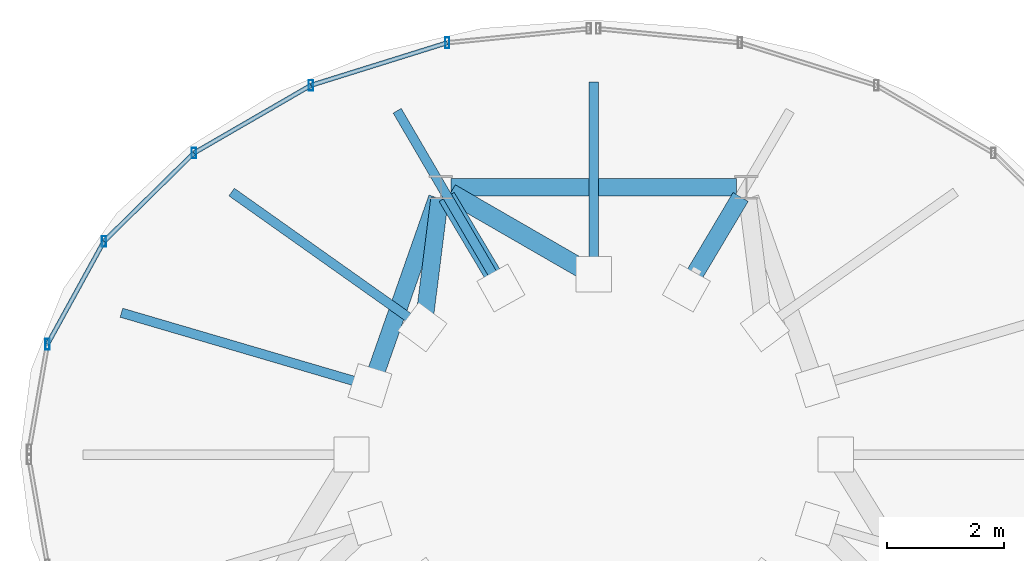
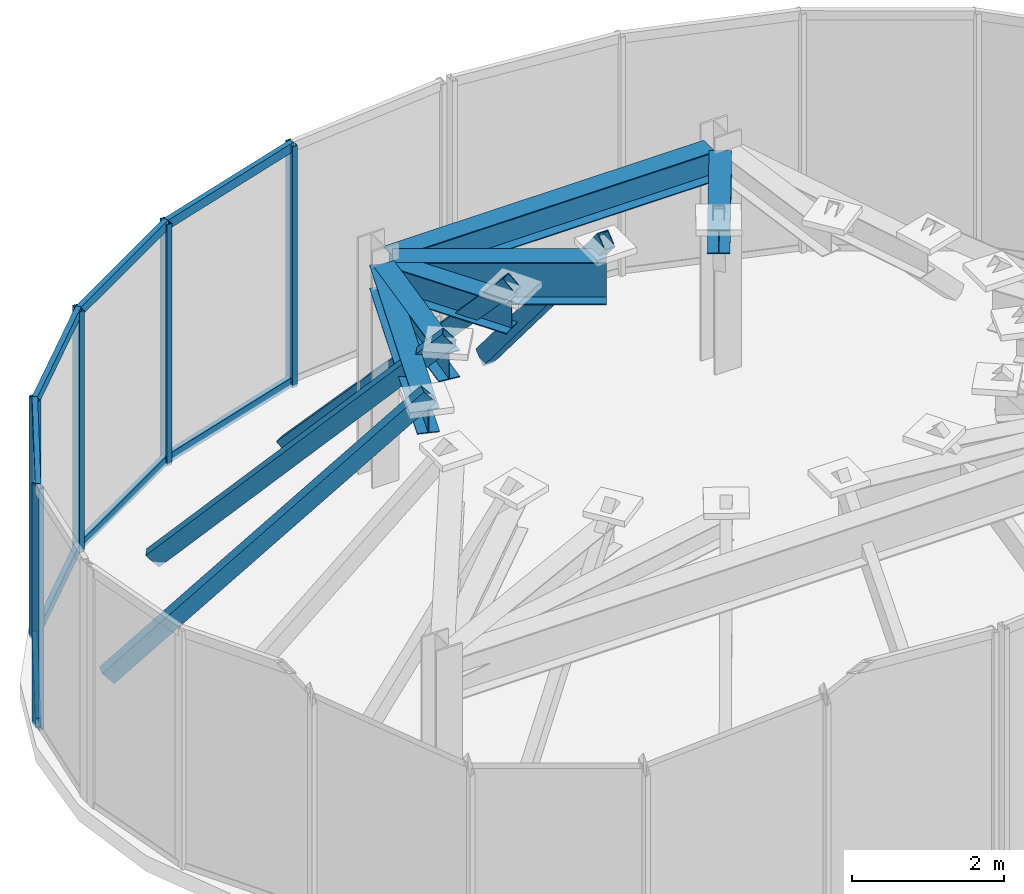
# One storey, part 5 of 8: 17 members, 6 beams, 1 element without a shape of its own.
"""IFC4 building model written with IfcOpenShell, lengths in metres."""

import ifcopenshell
import ifcopenshell.guid

model = None  # the IFC model being written
_history = None  # IfcOwnerHistory: only IFC2X3 demands one
_inside = {}  # id of a spatial element -> (the spatial element, [elements in it])
_under = {}  # id of a project, library or spatial element -> (it, [spatial elements below it])
_declared = {}  # id of a project -> (the project, [libraries it declares])
_typed = {}  # id of a type object -> (the type object, [elements of that type])
_made_of = {}  # id of a material, layer set ... -> (it, [elements and type objects made of it])


def new_model(schema):
    """Start an empty IFC model of exactly this schema.

    Asked for "IFC4X3", IfcOpenShell would pick the latest addendum, in which some entities
    have other attributes; the version numbers below select the first issue.
    IFC2X3 requires an IfcOwnerHistory on every rooted entity: one is made here for all.
    """
    global model, _history
    if schema == "IFC4X3":
        model = ifcopenshell.file(schema_version=(4, 3, 0, 0))
    else:
        model = ifcopenshell.file(schema=schema)
    _inside.clear()
    _under.clear()
    _declared.clear()
    _typed.clear()
    _made_of.clear()
    _history = None
    if model.schema == "IFC2X3":
        org = make("IfcOrganization", Name="unknown")
        user = make(
            "IfcPersonAndOrganization",
            ThePerson=make("IfcPerson", FamilyName="unknown"),
            TheOrganization=org,
        )
        app = make(
            "IfcApplication",
            ApplicationDeveloper=org,
            Version="unknown",
            ApplicationFullName="unknown",
            ApplicationIdentifier="unknown",
        )
        _history = make(
            "IfcOwnerHistory",
            OwningUser=user,
            OwningApplication=app,
            ChangeAction="ADDED",
            CreationDate=0,
        )
    return model


def make(cls, **values):
    """One entity of the class cls with the attributes given. An attribute that is None is left unset."""
    return model.create_entity(
        cls, **{name: value for name, value in values.items() if value is not None}
    )


def rooted(cls, **values):
    """An entity with a GlobalId (a new one), such as an element, a storey or a relation."""
    return make(cls, GlobalId=ifcopenshell.guid.new(), OwnerHistory=_history, **values)


def si_unit(unit_type, name, prefix=None):
    """IfcSIUnit, for example si_unit("LENGTHUNIT", "METRE", prefix="MILLI")."""
    return make("IfcSIUnit", UnitType=unit_type, Prefix=prefix, Name=name)


def assignment(units):
    """IfcUnitAssignment: the units of a project."""
    return None if units is None else make("IfcUnitAssignment", Units=units)


def point(xyz):
    """IfcCartesianPoint."""
    return None if xyz is None else make("IfcCartesianPoint", Coordinates=xyz)


def direction(xyz):
    """IfcDirection."""
    return None if xyz is None else make("IfcDirection", DirectionRatios=xyz)


def frame(location, z_axis=None, x_axis=None):
    """IfcAxis2Placement3D, a coordinate frame: its origin and axes. An axis left out is left unset."""
    return make(
        "IfcAxis2Placement3D",
        Location=point(location),
        Axis=direction(z_axis),
        RefDirection=direction(x_axis),
    )


def frame_2d(location, x_axis=None):
    """IfcAxis2Placement2D, a coordinate frame in the plane: its origin and x axis."""
    return make(
        "IfcAxis2Placement2D", Location=point(location), RefDirection=direction(x_axis)
    )


def origin():
    """The frame at (0, 0, 0) with its axes left unset."""
    return frame((0.0, 0.0, 0.0))


def origin_2d():
    """The frame at (0, 0) in the plane with its x axis left unset."""
    return frame_2d((0.0, 0.0))


def place(relative_to, where):
    """IfcLocalPlacement: puts the frame where relative to a parent placement (None: the world)."""
    return make(
        "IfcLocalPlacement", PlacementRelTo=relative_to, RelativePlacement=where
    )


def context(
    kind, dimensions, precision=None, world=None, true_north=None, identifier=None
):
    """IfcGeometricRepresentationContext, for example the 3D "Model" context."""
    return make(
        "IfcGeometricRepresentationContext",
        ContextIdentifier=identifier,
        ContextType=kind,
        CoordinateSpaceDimension=dimensions,
        Precision=precision,
        WorldCoordinateSystem=world,
        TrueNorth=true_north,
    )


def subcontext(parent, identifier, kind, view, scale=None):
    """IfcGeometricRepresentationSubContext, for example "Body" below "Model"."""
    return make(
        "IfcGeometricRepresentationSubContext",
        ContextIdentifier=identifier,
        ContextType=kind,
        ParentContext=parent,
        TargetScale=scale,
        TargetView=view,
    )


def project(units=None, contexts=None):
    """IfcProject with its units and contexts."""
    return rooted(
        "IfcProject",
        Name="project",
        RepresentationContexts=contexts,
        UnitsInContext=assignment(units),
    )


def spatial(cls, under=None, at=None, **own):
    """A site, building, storey or space (cls), placed at a placement, below another one or the project."""
    s = rooted(cls, ObjectPlacement=at, **own)
    if under is not None:
        _under.setdefault(under.id(), (under, []))[1].append(s)
    return s


def profile(cls, at=None, kind="AREA", **sizes):
    """A parametric profile (cls). Its sizes go by their IFC names, for example OverallWidth=200.0."""
    return make(cls, ProfileType=kind, Position=at, **sizes)


def hollow_rectangle(**sizes):
    """IfcRectangleHollowProfileDef."""
    return profile("IfcRectangleHollowProfileDef", **sizes)


def i_section(**sizes):
    """IfcIShapeProfileDef."""
    return profile("IfcIShapeProfileDef", **sizes)


def extrude(swept, where, along, depth):
    """IfcExtrudedAreaSolid: the profile swept, set in the frame where, extruded along a direction by depth."""
    return make(
        "IfcExtrudedAreaSolid",
        SweptArea=swept,
        Position=where,
        ExtrudedDirection=direction(along),
        Depth=depth,
    )


def shape(context_of_items, identifier, shape_type, items):
    """IfcShapeRepresentation: the items that make up one representation, for example the "Body"."""
    return make(
        "IfcShapeRepresentation",
        ContextOfItems=context_of_items,
        RepresentationIdentifier=identifier,
        RepresentationType=shape_type,
        Items=items,
    )


def material(Name=None, Category=None):
    """IfcMaterial."""
    return make("IfcMaterial", Name=Name, Category=Category)


def material_profile(
    of_material, cross_section, Name=None, Category=None, Priority=None
):
    """IfcMaterialProfile: a cross section and its material."""
    return make(
        "IfcMaterialProfile",
        Name=Name,
        Material=of_material,
        Profile=cross_section,
        Priority=Priority,
        Category=Category,
    )


def profile_set(profiles, Name=None, composite=None):
    """IfcMaterialProfileSet."""
    return make(
        "IfcMaterialProfileSet",
        Name=Name,
        MaterialProfiles=profiles,
        CompositeProfile=composite,
    )


def made_of(thing, what):
    """Note that an element or type object is made of a material, layer set ...; save() writes the relation."""
    if what is not None:
        _made_of.setdefault(what.id(), (what, []))[1].append(thing)
    return thing


def type_object(cls, material=None, **own):
    """A type object (cls), such as IfcWallType, which elements share."""
    return made_of(rooted(cls, **own), material)


def element(
    cls,
    number,
    at=None,
    inside=None,
    cuts=None,
    type_object=None,
    material=None,
    context=None,
    identifier="Body",
    shape_type=None,
    held_by="IfcProductDefinitionShape",
    body=None,
    shapes=None,
    **own,
):
    """One element of the class cls, such as IfcWall. Its Tag is "e" and its number.

    at: its placement. inside: the storey or other place that contains it. cuts: it is an
    opening in that element (IfcRelVoidsElement). A single representation is given by context,
    identifier, shape_type and body (its items); several are given by shapes. held_by: the class
    of the entity that holds the representations. save() writes the other relations.
    """
    e = rooted(cls, Tag="e%d" % number, ObjectPlacement=at, **own)
    if body is not None:
        shapes = [shape(context, identifier, shape_type, body)]
    if shapes is not None:
        e.Representation = make(held_by, Representations=shapes)
    if inside is not None:
        _inside.setdefault(inside.id(), (inside, []))[1].append(e)
    if cuts is not None:
        rooted(
            "IfcRelVoidsElement", RelatingBuildingElement=cuts, RelatedOpeningElement=e
        )
    if type_object is not None:
        _typed.setdefault(type_object.id(), (type_object, []))[1].append(e)
    return made_of(e, material)


def aggregate(whole, parts):
    """IfcRelAggregates: a whole, such as a stair, and the parts it consists of."""
    return rooted("IfcRelAggregates", RelatingObject=whole, RelatedObjects=parts)


def save(model, path):
    """Write the relations noted so far, then the file.

    IfcRelAggregates (storeys below a building ...), IfcRelContainedInSpatialStructure (elements
    in a storey), IfcRelDefinesByType, IfcRelAssociatesMaterial and IfcRelDeclares: one each for
    every whole, place, type object, material and project.
    """
    for whole, parts in _under.values():
        aggregate(whole, parts)
    for where, things in _inside.values():
        rooted(
            "IfcRelContainedInSpatialStructure",
            RelatedElements=things,
            RelatingStructure=where,
        )
    for kind, things in _typed.values():
        rooted("IfcRelDefinesByType", RelatedObjects=things, RelatingType=kind)
    for what, things in _made_of.values():
        rooted("IfcRelAssociatesMaterial", RelatedObjects=things, RelatingMaterial=what)
    for by, libraries in _declared.values():
        rooted("IfcRelDeclares", RelatingContext=by, RelatedDefinitions=libraries)
    model.write(path)


model = new_model("IFC4")

# Units and contexts
model_context = context("Model", 3, precision=1e-05, world=origin(), true_north=direction((0.0, 1.0)))
body_context = subcontext(model_context, "Body", "Model", "MODEL_VIEW")
ifc_project = project(units=[si_unit("LENGTHUNIT", "METRE"), si_unit("AREAUNIT", "SQUARE_METRE"), si_unit("VOLUMEUNIT", "CUBIC_METRE"), si_unit("PLANEANGLEUNIT", "RADIAN"), si_unit("MASSUNIT", "GRAM", prefix="KILO")], contexts=[model_context])

# Site, building, storey
site_placement = place(None, origin())
site = spatial("IfcSite", under=ifc_project, at=site_placement, CompositionType="ELEMENT")
building_placement = place(site_placement, origin())
building = spatial("IfcBuilding", under=site, at=building_placement, Name="Vorneva Point Tower", CompositionType="ELEMENT")
storey_placement = place(building_placement, frame((0.0, 0.0, 310.60009765625)))
storey = spatial("IfcBuildingStorey", under=building, at=storey_placement, Name="C05", CompositionType="ELEMENT", Elevation=310.60009765625)

# Beams
ifc_material_1 = material(Name="Steel S355", Category="steel")
ifc_material_profile_1 = material_profile(ifc_material_1, i_section(OverallWidth=0.299072265625, OverallDepth=0.383056640625, WebThickness=0.009521484375, FlangeThickness=0.012451171875, at=origin_2d()), Name="40Sh1")
ifc_profile_set_1 = profile_set([ifc_material_profile_1], Name="Steel S355")
beam_type_1 = type_object("IfcBeamType", Name="BM-GRD-40Sh1", PredefinedType="USERDEFINED", material=ifc_profile_set_1)
beam_1_placement = place(storey_placement, frame((39.569091796875, 28.81787109375, 3.3583984375), z_axis=(0.511385111956, 0.859351655185, 0.0), x_axis=(-0.859351655185, 0.511385111956, 0.0)))
element("IfcBeam", 1, at=beam_1_placement, inside=storey, type_object=beam_type_1, Name="C05 Radial Primary Girder 04", ObjectType="GIRDER", PredefinedType="USERDEFINED", context=body_context, shape_type="SweptSolid", body=[
    extrude(i_section(OverallWidth=0.299072265625, OverallDepth=0.383056640625, WebThickness=0.009521484375, FlangeThickness=0.012451171875, at=origin_2d()), origin(), (0.0, 0.0, 1.0), 1.82568359375),
])
beam_2_placement = place(storey_placement, frame((34.212158203125, 27.167236328125, 3.3583984375), z_axis=(0.331288773314, 0.943529410605, 0.0), x_axis=(-0.943529410605, 0.331288773314, 0.0)))
element("IfcBeam", 2, at=beam_2_placement, inside=storey, type_object=beam_type_1, Name="C05 Radial Primary Girder 08", ObjectType="GIRDER", PredefinedType="USERDEFINED", context=body_context, shape_type="SweptSolid", body=[
    extrude(i_section(OverallWidth=0.299072265625, OverallDepth=0.383056640625, WebThickness=0.009521484375, FlangeThickness=0.012451171875, at=origin_2d()), origin(), (0.0, 0.0, 1.0), 3.39501953125),
])
ifc_material_profile_2 = material_profile(ifc_material_1, i_section(OverallWidth=0.299072265625, OverallDepth=0.43505859375, WebThickness=0.010498046875, FlangeThickness=0.014892578125, at=origin_2d()), Name="45Sh1")
ifc_profile_set_2 = profile_set([ifc_material_profile_2], Name="Steel S355")
beam_type_2 = type_object("IfcBeamType", Name="BM-GRD-45Sh1", PredefinedType="USERDEFINED", material=ifc_profile_set_2)
beam_3_placement = place(storey_placement, frame((35.100830078125, 28.15673828125, 3.33251953125), z_axis=(0.124048257587, 0.992276186245, 0.0), x_axis=(-0.992276186245, 0.124048257587, 0.0)))
element("IfcBeam", 3, at=beam_3_placement, inside=storey, type_object=beam_type_2, Name="C05 Radial Primary Girder 07", ObjectType="GIRDER", PredefinedType="USERDEFINED", context=body_context, shape_type="SweptSolid", body=[
    extrude(i_section(OverallWidth=0.299072265625, OverallDepth=0.43505859375, WebThickness=0.010498046875, FlangeThickness=0.014892578125, at=origin_2d()), origin(), (0.0, 0.0, 1.0), 2.221923828125),
])
ifc_material_profile_3 = material_profile(ifc_material_1, i_section(OverallWidth=0.300048828125, OverallDepth=0.48193359375, WebThickness=0.010986328125, FlangeThickness=0.014892578125, at=origin_2d()), Name="50Sh1")
ifc_profile_set_3 = profile_set([ifc_material_profile_3], Name="Steel S355")
beam_type_3 = type_object("IfcBeamType", Name="BM-GRD-50Sh1", PredefinedType="USERDEFINED", material=ifc_profile_set_3)
beam_4_placement = place(storey_placement, frame((36.430908203125, 28.81787109375, 3.308837890625), z_axis=(-0.511385111956, 0.859351655185, 0.0), x_axis=(-0.859351655185, -0.511385111956, 0.0)))
element("IfcBeam", 4, at=beam_4_placement, inside=storey, type_object=beam_type_3, Name="C05 Radial Primary Girder 06", ObjectType="GIRDER", PredefinedType="USERDEFINED", context=body_context, shape_type="SweptSolid", body=[
    extrude(i_section(OverallWidth=0.300048828125, OverallDepth=0.48193359375, WebThickness=0.010986328125, FlangeThickness=0.014892578125, at=origin_2d()), origin(), (0.0, 0.0, 1.0), 1.82568359375),
])
beam_5_placement = place(storey_placement, frame((35.570068359375, 30.550048828125, 3.308837890625), z_axis=(1.0, 0.0, 0.0), x_axis=(0.0, 1.0, 0.0)))
element("IfcBeam", 5, at=beam_5_placement, inside=storey, type_object=beam_type_3, Name="C05 Core Tie Girder CT2", ObjectType="GIRDER", PredefinedType="USERDEFINED", context=body_context, shape_type="SweptSolid", body=[
    extrude(i_section(OverallWidth=0.300048828125, OverallDepth=0.48193359375, WebThickness=0.010986328125, FlangeThickness=0.014892578125, at=origin_2d()), origin(), (0.0, 0.0, 1.0), 4.85986328125),
])
ifc_material_profile_4 = material_profile(ifc_material_1, i_section(OverallWidth=0.320068359375, OverallDepth=0.68310546875, WebThickness=0.012939453125, FlangeThickness=0.01904296875, at=origin_2d()), Name="70Sh1")
ifc_profile_set_4 = profile_set([ifc_material_profile_4], Name="Steel S355")
beam_type_4 = type_object("IfcBeamType", Name="BM-GRD-70Sh1", PredefinedType="USERDEFINED", material=ifc_profile_set_4)
beam_6_placement = place(storey_placement, frame((38.0, 29.050048828125, 3.20849609375), z_axis=(-0.866178357746, 0.499734982339, 0.0), x_axis=(-0.499734982339, -0.866178357746, 0.0)))
element("IfcBeam", 6, at=beam_6_placement, inside=storey, type_object=beam_type_4, Name="C05 Radial Primary Girder 05", ObjectType="GIRDER", PredefinedType="USERDEFINED", context=body_context, shape_type="SweptSolid", body=[
    extrude(i_section(OverallWidth=0.320068359375, OverallDepth=0.68310546875, WebThickness=0.012939453125, FlangeThickness=0.01904296875, at=origin_2d()), origin(), (0.0, 0.0, 1.0), 2.8115234375),
])

# Curtain wall, members
ifc_material_2 = material(Name="Pale anodised aluminium", Category="aluminium")
curtain_wall_type = type_object("IfcCurtainWallType", Name="CW-CRN-SYS", PredefinedType="NOTDEFINED", material=ifc_material_2)
curtain_wall_placement = place(storey_placement, origin())
curtain_wall = element("IfcCurtainWall", 7, at=curtain_wall_placement, inside=storey, type_object=curtain_wall_type, Name="C05 Unitised Curtain Wall CW-C05-Q2", PredefinedType="NOTDEFINED")
ifc_material_profile_5 = material_profile(ifc_material_2, hollow_rectangle(XDim=0.074951171875, YDim=0.179931640625, WallThickness=0.00390625, at=origin_2d()), Name="AL-MUL 180x75x4")
ifc_profile_set_5 = profile_set([ifc_material_profile_5], Name="Pale anodised aluminium")
member_type_1 = type_object("IfcMemberType", Name="CW-MUL-180", PredefinedType="MULLION", material=ifc_profile_set_5)
member_1_placement = place(storey_placement, frame((35.508056640625, 33.0126953125, -0.0400390625), z_axis=(0.0, 0.0, 1.0), x_axis=(1.0, 0.0, 0.0)))
member_1 = element("IfcMember", 8, at=member_1_placement, type_object=member_type_1, Name="CW-C05-Q2 Mullion 02", PredefinedType="MULLION", context=body_context, shape_type="SweptSolid", body=[
    extrude(hollow_rectangle(XDim=0.074951171875, YDim=0.179931640625, WallThickness=0.00390625, at=origin_2d()), origin(), (0.0, 0.0, 1.0), 3.869873046875),
])
member_2_placement = place(storey_placement, frame((33.18603515625, 32.287353515625, -0.0400390625), z_axis=(0.0, 0.0, 1.0), x_axis=(1.0, 0.0, 0.0)))
member_2 = element("IfcMember", 9, at=member_2_placement, type_object=member_type_1, Name="CW-C05-Q2 Mullion 03", PredefinedType="MULLION", context=body_context, shape_type="SweptSolid", body=[
    extrude(hollow_rectangle(XDim=0.074951171875, YDim=0.179931640625, WallThickness=0.00390625, at=origin_2d()), origin(), (0.0, 0.0, 1.0), 3.869873046875),
])
member_3_placement = place(storey_placement, frame((31.19189453125, 31.133544921875, -0.0400390625), z_axis=(0.0, 0.0, 1.0), x_axis=(1.0, 0.0, 0.0)))
member_3 = element("IfcMember", 10, at=member_3_placement, type_object=member_type_1, Name="CW-C05-Q2 Mullion 04", PredefinedType="MULLION", context=body_context, shape_type="SweptSolid", body=[
    extrude(hollow_rectangle(XDim=0.074951171875, YDim=0.179931640625, WallThickness=0.00390625, at=origin_2d()), origin(), (0.0, 0.0, 1.0), 3.869873046875),
])
member_4_placement = place(storey_placement, frame((29.661865234375, 29.6298828125, -0.0400390625), z_axis=(0.0, 0.0, 1.0), x_axis=(1.0, 0.0, 0.0)))
member_4 = element("IfcMember", 11, at=member_4_placement, type_object=member_type_1, Name="CW-C05-Q2 Mullion 05", PredefinedType="MULLION", context=body_context, shape_type="SweptSolid", body=[
    extrude(hollow_rectangle(XDim=0.074951171875, YDim=0.179931640625, WallThickness=0.00390625, at=origin_2d()), origin(), (0.0, 0.0, 1.0), 3.869873046875),
])
member_5_placement = place(storey_placement, frame((28.7001953125, 27.87890625, -0.0400390625), z_axis=(0.0, 0.0, 1.0), x_axis=(1.0, 0.0, 0.0)))
member_5 = element("IfcMember", 12, at=member_5_placement, type_object=member_type_1, Name="CW-C05-Q2 Mullion 06", PredefinedType="MULLION", context=body_context, shape_type="SweptSolid", body=[
    extrude(hollow_rectangle(XDim=0.074951171875, YDim=0.179931640625, WallThickness=0.00390625, at=origin_2d()), origin(), (0.0, 0.0, 1.0), 3.869873046875),
])
ifc_material_profile_6 = material_profile(ifc_material_2, hollow_rectangle(XDim=0.074951171875, YDim=0.14990234375, WallThickness=0.00390625, at=origin_2d()), Name="AL-TRN 150x75x4")
ifc_profile_set_6 = profile_set([ifc_material_profile_6], Name="Pale anodised aluminium")
member_type_2 = type_object("IfcMemberType", Name="CW-TRN-150", PredefinedType="USERDEFINED", material=ifc_profile_set_6)
member_6_placement = place(storey_placement, frame((35.508056640625, 33.0126953125, 0.02001953125), z_axis=(-0.95451390104, -0.298166417831, 0.0), x_axis=(0.298166417831, -0.95451390104, 0.0)))
member_6 = element("IfcMember", 13, at=member_6_placement, type_object=member_type_2, Name="CW-C05-Q2 Transom 02.1", ObjectType="TRANSOM", PredefinedType="USERDEFINED", context=body_context, shape_type="SweptSolid", body=[
    extrude(hollow_rectangle(XDim=0.074951171875, YDim=0.14990234375, WallThickness=0.00390625, at=origin_2d()), origin(), (0.0, 0.0, 1.0), 2.4326171875),
])
member_7_placement = place(storey_placement, frame((35.508056640625, 33.0126953125, 3.77978515625), z_axis=(-0.95451390104, -0.298166417831, 0.0), x_axis=(0.298166417831, -0.95451390104, 0.0)))
member_7 = element("IfcMember", 14, at=member_7_placement, type_object=member_type_2, Name="CW-C05-Q2 Transom 02.2", ObjectType="TRANSOM", PredefinedType="USERDEFINED", context=body_context, shape_type="SweptSolid", body=[
    extrude(hollow_rectangle(XDim=0.074951171875, YDim=0.14990234375, WallThickness=0.00390625, at=origin_2d()), origin(), (0.0, 0.0, 1.0), 2.4326171875),
])
member_8_placement = place(storey_placement, frame((33.18603515625, 32.287353515625, 0.02001953125), z_axis=(-0.865556848897, -0.500810684119, 0.0), x_axis=(0.500810684119, -0.865556848897, 0.0)))
member_8 = element("IfcMember", 15, at=member_8_placement, type_object=member_type_2, Name="CW-C05-Q2 Transom 03.1", ObjectType="TRANSOM", PredefinedType="USERDEFINED", context=body_context, shape_type="SweptSolid", body=[
    extrude(hollow_rectangle(XDim=0.074951171875, YDim=0.14990234375, WallThickness=0.00390625, at=origin_2d()), origin(), (0.0, 0.0, 1.0), 2.303955078125),
])
member_9_placement = place(storey_placement, frame((33.18603515625, 32.287353515625, 3.77978515625), z_axis=(-0.865556848897, -0.500810684119, 0.0), x_axis=(0.500810684119, -0.865556848897, 0.0)))
member_9 = element("IfcMember", 16, at=member_9_placement, type_object=member_type_2, Name="CW-C05-Q2 Transom 03.2", ObjectType="TRANSOM", PredefinedType="USERDEFINED", context=body_context, shape_type="SweptSolid", body=[
    extrude(hollow_rectangle(XDim=0.074951171875, YDim=0.14990234375, WallThickness=0.00390625, at=origin_2d()), origin(), (0.0, 0.0, 1.0), 2.303955078125),
])
member_10_placement = place(storey_placement, frame((31.19189453125, 31.133544921875, 0.02001953125), z_axis=(-0.713225628318, -0.700934521272, 0.0), x_axis=(0.700934521272, -0.713225628318, 0.0)))
member_10 = element("IfcMember", 17, at=member_10_placement, type_object=member_type_2, Name="CW-C05-Q2 Transom 04.1", ObjectType="TRANSOM", PredefinedType="USERDEFINED", context=body_context, shape_type="SweptSolid", body=[
    extrude(hollow_rectangle(XDim=0.074951171875, YDim=0.14990234375, WallThickness=0.00390625, at=origin_2d()), origin(), (0.0, 0.0, 1.0), 2.145263671875),
])
member_11_placement = place(storey_placement, frame((31.19189453125, 31.133544921875, 3.77978515625), z_axis=(-0.713225628318, -0.700934521272, 0.0), x_axis=(0.700934521272, -0.713225628318, 0.0)))
member_11 = element("IfcMember", 18, at=member_11_placement, type_object=member_type_2, Name="CW-C05-Q2 Transom 04.2", ObjectType="TRANSOM", PredefinedType="USERDEFINED", context=body_context, shape_type="SweptSolid", body=[
    extrude(hollow_rectangle(XDim=0.074951171875, YDim=0.14990234375, WallThickness=0.00390625, at=origin_2d()), origin(), (0.0, 0.0, 1.0), 2.145263671875),
])
member_12_placement = place(storey_placement, frame((29.661865234375, 29.6298828125, 0.02001953125), z_axis=(-0.481393221726, -0.876504743899, 0.0), x_axis=(0.876504743899, -0.481393221726, 0.0)))
member_12 = element("IfcMember", 19, at=member_12_placement, type_object=member_type_2, Name="CW-C05-Q2 Transom 05.1", ObjectType="TRANSOM", PredefinedType="USERDEFINED", context=body_context, shape_type="SweptSolid", body=[
    extrude(hollow_rectangle(XDim=0.074951171875, YDim=0.14990234375, WallThickness=0.00390625, at=origin_2d()), origin(), (0.0, 0.0, 1.0), 1.99755859375),
])
member_13_placement = place(storey_placement, frame((29.661865234375, 29.6298828125, 3.77978515625), z_axis=(-0.481393221726, -0.876504743899, 0.0), x_axis=(0.876504743899, -0.481393221726, 0.0)))
member_13 = element("IfcMember", 20, at=member_13_placement, type_object=member_type_2, Name="CW-C05-Q2 Transom 05.2", ObjectType="TRANSOM", PredefinedType="USERDEFINED", context=body_context, shape_type="SweptSolid", body=[
    extrude(hollow_rectangle(XDim=0.074951171875, YDim=0.14990234375, WallThickness=0.00390625, at=origin_2d()), origin(), (0.0, 0.0, 1.0), 1.99755859375),
])
aggregate(curtain_wall, [member_1, member_2, member_3, member_4, member_5, member_6, member_7, member_8, member_9, member_10, member_11, member_12, member_13])

# Members
ifc_material_profile_7 = material_profile(ifc_material_1, hollow_rectangle(XDim=0.159912109375, YDim=0.25, WallThickness=0.010009765625, at=origin_2d()), Name="PP 250x160x10")
ifc_profile_set_7 = profile_set([ifc_material_profile_7], Name="Steel S355")
member_type_3 = type_object("IfcMemberType", Name="MBR-CRN-PP250", PredefinedType="CHORD", material=ifc_profile_set_7)
member_14_placement = place(storey_placement, frame((38.0, 32.25, 0.0), z_axis=(0.0, -0.644149366218, 0.76489972807), x_axis=(1.0, 0.0, 0.0)))
element("IfcMember", 21, at=member_14_placement, inside=storey, type_object=member_type_3, Name="Crown Tapered Frame Rib C05-05", PredefinedType="CHORD", context=body_context, shape_type="SweptSolid", body=[
    extrude(hollow_rectangle(XDim=0.159912109375, YDim=0.25, WallThickness=0.010009765625, at=origin_2d()), origin(), (0.0, 0.0, 1.0), 4.9677734375),
])
member_15_placement = place(storey_placement, frame((34.701904296875, 31.774169921875, 0.0), z_axis=(0.33799744938, -0.577917412389, 0.742811677796), x_axis=(0.863206946257, 0.504850243075, 0.0)))
element("IfcMember", 22, at=member_15_placement, inside=storey, type_object=member_type_3, Name="Crown Tapered Frame Rib C05-06", PredefinedType="CHORD", context=body_context, shape_type="SweptSolid", body=[
    extrude(hollow_rectangle(XDim=0.159912109375, YDim=0.25, WallThickness=0.010009765625, at=origin_2d()), origin(), (0.0, 0.0, 1.0), 5.115478515625),
])
member_16_placement = place(storey_placement, frame((31.90625, 30.41943359375, 0.0), z_axis=(0.585559055977, -0.414746758181, 0.696495311213), x_axis=(0.577994846056, 0.816040414399, 0.0)))
element("IfcMember", 23, at=member_16_placement, inside=storey, type_object=member_type_3, Name="Crown Tapered Frame Rib C05-07", PredefinedType="CHORD", context=body_context, shape_type="SweptSolid", body=[
    extrude(hollow_rectangle(XDim=0.159912109375, YDim=0.25, WallThickness=0.010009765625, at=origin_2d()), origin(), (0.0, 0.0, 1.0), 5.45556640625),
])
member_17_placement = place(storey_placement, frame((30.0380859375, 28.391845703125, 0.0), z_axis=(0.722669994686, -0.212020395002, 0.657871895496), x_axis=(0.281519043956, 0.959555640852, 0.0)))
element("IfcMember", 24, at=member_17_placement, inside=storey, type_object=member_type_3, Name="Crown Tapered Frame Rib C05-08", PredefinedType="CHORD", context=body_context, shape_type="SweptSolid", body=[
    extrude(hollow_rectangle(XDim=0.159912109375, YDim=0.25, WallThickness=0.010009765625, at=origin_2d()), origin(), (0.0, 0.0, 1.0), 5.77587890625),
])

save(model, "model.ifc")
